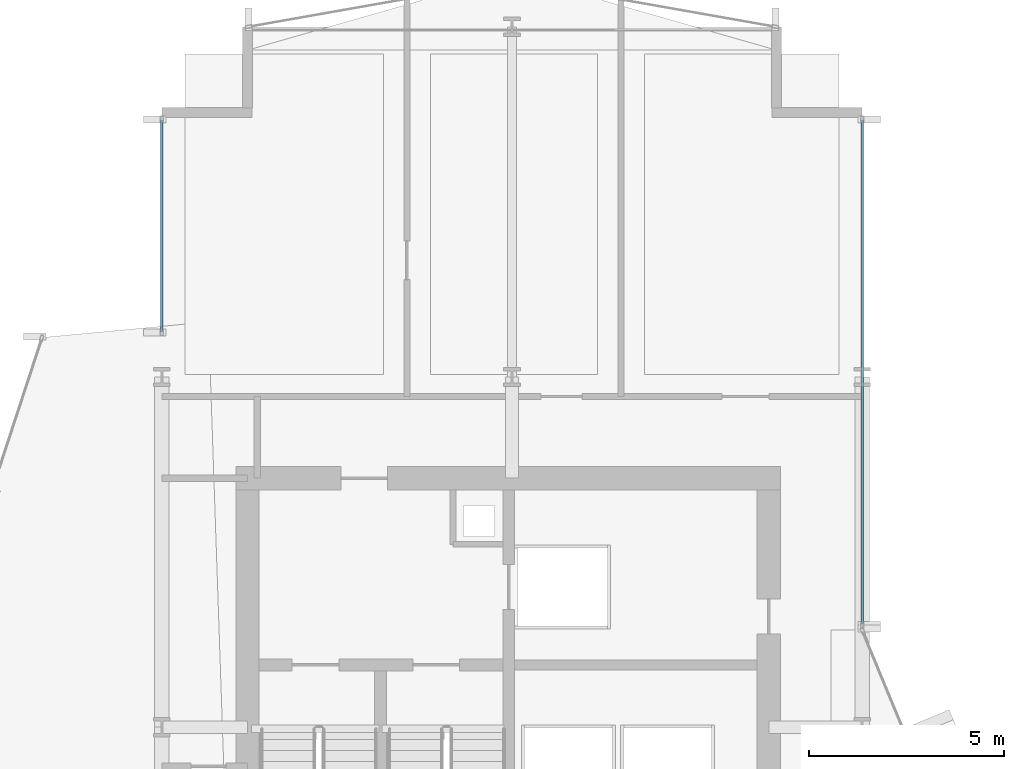
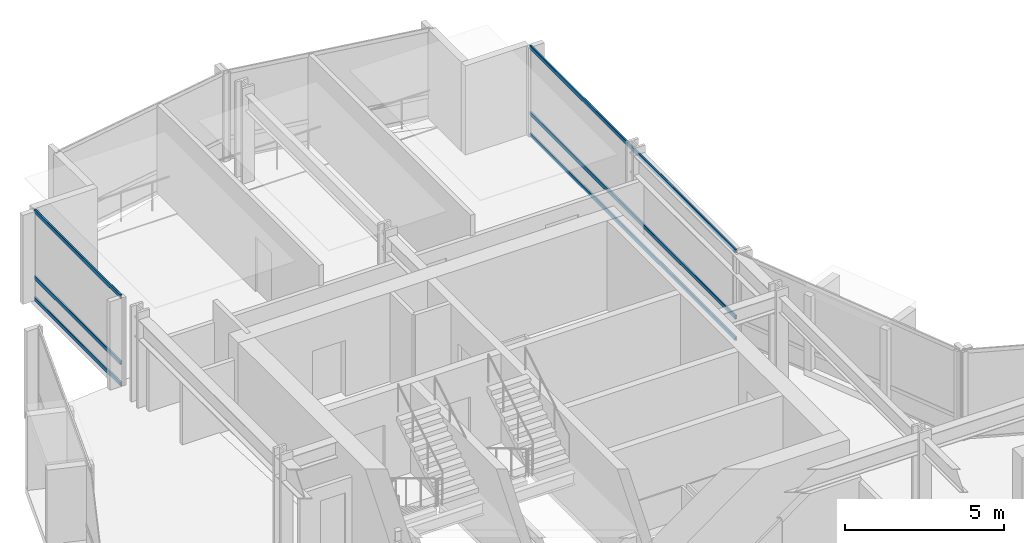
# One storey, part 22 of 34: 6 members, 2 elements without a shape of their own.
"""IFC4 building model written with IfcOpenShell, lengths in metres."""

from ifc_helpers import new_model, si_unit, direction, frame, origin, origin_2d, place, context, subcontext, project, spatial, hollow_rectangle, extrude, material, layer, layer_set, material_profile, profile_set, type_object, element, aggregate, save


model = new_model("IFC4")

# Units and contexts
model_context = context("Model", 3, precision=1e-05, world=origin(), true_north=direction((0.0, 1.0)))
body_context = subcontext(model_context, "Body", "Model", "MODEL_VIEW")
ifc_project = project(units=[si_unit("LENGTHUNIT", "METRE"), si_unit("AREAUNIT", "SQUARE_METRE"), si_unit("VOLUMEUNIT", "CUBIC_METRE"), si_unit("PLANEANGLEUNIT", "RADIAN"), si_unit("MASSUNIT", "GRAM", prefix="KILO")], contexts=[model_context])

# Site, building, storey
site_placement = place(None, origin())
site = spatial("IfcSite", under=ifc_project, at=site_placement, CompositionType="ELEMENT")
building_placement = place(site_placement, origin())
building = spatial("IfcBuilding", under=site, at=building_placement, Name="Solvaryn Broadcast Tower", CompositionType="ELEMENT")
storey_placement = place(building_placement, frame((0.0, 0.0, 39.699951171875)))
storey = spatial("IfcBuildingStorey", under=building, at=storey_placement, Name="L08", CompositionType="ELEMENT", Elevation=39.699951171875)

# Curtain wall, members
ifc_material_1 = material(Name="Aluminium and Terracotta Unitised Curtain Wall", Category="masonry")
ifc_layer = layer(ifc_material_1, 0.199951171875)
ifc_layer_set = layer_set([ifc_layer], Name="CW-SYS2-LOWMID")
curtain_wall_type = type_object("IfcCurtainWallType", Name="CW-SYS2-LOWMID", PredefinedType="NOTDEFINED", material=ifc_layer_set)
curtain_wall_1_placement = place(storey_placement, origin())
curtain_wall_1 = element("IfcCurtainWall", 1, at=curtain_wall_1_placement, inside=storey, type_object=curtain_wall_type, Name="L08 Curtain Wall W2", PredefinedType="NOTDEFINED")
ifc_material_2 = material(Name="Anodised Aluminium 6063-T6", Category="aluminium")
ifc_material_profile = material_profile(ifc_material_2, hollow_rectangle(XDim=0.06494140625, YDim=0.14990234375, WallThickness=0.00390625, InnerFilletRadius=0.00390625, OuterFilletRadius=0.008056640625, at=origin_2d()))
ifc_profile_set = profile_set([ifc_material_profile], Name="Anodised Aluminium 6063-T6")
member_type = type_object("IfcMemberType", Name="CW-TRN-150", PredefinedType="USERDEFINED", material=ifc_profile_set)
member_1_placement = place(storey_placement, frame((9.0, 46.176025390625, 0.030029296875), z_axis=(0.0, 1.0, 0.0), x_axis=(-1.0, 0.0, 0.0)))
member_1 = element("IfcMember", 2, at=member_1_placement, type_object=member_type, Name="CWS2 transom 1.1", ObjectType="TRANSOM", PredefinedType="USERDEFINED", context=body_context, shape_type="SweptSolid", body=[
    extrude(hollow_rectangle(XDim=0.06494140625, YDim=0.14990234375, WallThickness=0.00390625, InnerFilletRadius=0.00390625, OuterFilletRadius=0.008056640625, at=origin_2d()), origin(), (0.0, 0.0, 1.0), 5.4140625),
])
member_2_placement = place(storey_placement, frame((9.0, 46.176025390625, 0.85009765625), z_axis=(0.0, 1.0, 0.0), x_axis=(-1.0, 0.0, 0.0)))
member_2 = element("IfcMember", 3, at=member_2_placement, type_object=member_type, Name="CWS2 transom 1.2", ObjectType="TRANSOM", PredefinedType="USERDEFINED", context=body_context, shape_type="SweptSolid", body=[
    extrude(hollow_rectangle(XDim=0.06494140625, YDim=0.14990234375, WallThickness=0.00390625, InnerFilletRadius=0.00390625, OuterFilletRadius=0.008056640625, at=origin_2d()), origin(), (0.0, 0.0, 1.0), 5.4140625),
])
member_3_placement = place(storey_placement, frame((9.0, 46.176025390625, 3.39013671875), z_axis=(0.0, 1.0, 0.0), x_axis=(-1.0, 0.0, 0.0)))
member_3 = element("IfcMember", 4, at=member_3_placement, type_object=member_type, Name="CWS2 transom 1.3", ObjectType="TRANSOM", PredefinedType="USERDEFINED", context=body_context, shape_type="SweptSolid", body=[
    extrude(hollow_rectangle(XDim=0.06494140625, YDim=0.14990234375, WallThickness=0.00390625, InnerFilletRadius=0.00390625, OuterFilletRadius=0.008056640625, at=origin_2d()), origin(), (0.0, 0.0, 1.0), 5.4140625),
])
aggregate(curtain_wall_1, [member_1, member_2, member_3])

curtain_wall_2_placement = place(storey_placement, origin())
curtain_wall_2 = element("IfcCurtainWall", 5, at=curtain_wall_2_placement, inside=storey, type_object=curtain_wall_type, Name="L08 Curtain Wall IV", PredefinedType="NOTDEFINED")
member_4_placement = place(storey_placement, frame((27.0, 51.590087890625, 0.030029296875), z_axis=(0.0, -1.0, 0.0), x_axis=(1.0, 0.0, 0.0)))
member_4 = element("IfcMember", 6, at=member_4_placement, type_object=member_type, Name="CWS2 transom 1.1", ObjectType="TRANSOM", PredefinedType="USERDEFINED", context=body_context, shape_type="SweptSolid", body=[
    extrude(hollow_rectangle(XDim=0.06494140625, YDim=0.14990234375, WallThickness=0.00390625, InnerFilletRadius=0.00390625, OuterFilletRadius=0.008056640625, at=origin_2d()), origin(), (0.0, 0.0, 1.0), 12.93017578125),
])
member_5_placement = place(storey_placement, frame((27.0, 51.590087890625, 0.85009765625), z_axis=(0.0, -1.0, 0.0), x_axis=(1.0, 0.0, 0.0)))
member_5 = element("IfcMember", 7, at=member_5_placement, type_object=member_type, Name="CWS2 transom 1.2", ObjectType="TRANSOM", PredefinedType="USERDEFINED", context=body_context, shape_type="SweptSolid", body=[
    extrude(hollow_rectangle(XDim=0.06494140625, YDim=0.14990234375, WallThickness=0.00390625, InnerFilletRadius=0.00390625, OuterFilletRadius=0.008056640625, at=origin_2d()), origin(), (0.0, 0.0, 1.0), 12.93017578125),
])
member_6_placement = place(storey_placement, frame((27.0, 51.590087890625, 3.39013671875), z_axis=(0.0, -1.0, 0.0), x_axis=(1.0, 0.0, 0.0)))
member_6 = element("IfcMember", 8, at=member_6_placement, type_object=member_type, Name="CWS2 transom 1.3", ObjectType="TRANSOM", PredefinedType="USERDEFINED", context=body_context, shape_type="SweptSolid", body=[
    extrude(hollow_rectangle(XDim=0.06494140625, YDim=0.14990234375, WallThickness=0.00390625, InnerFilletRadius=0.00390625, OuterFilletRadius=0.008056640625, at=origin_2d()), origin(), (0.0, 0.0, 1.0), 12.93017578125),
])
aggregate(curtain_wall_2, [member_4, member_5, member_6])

save(model, "model.ifc")
